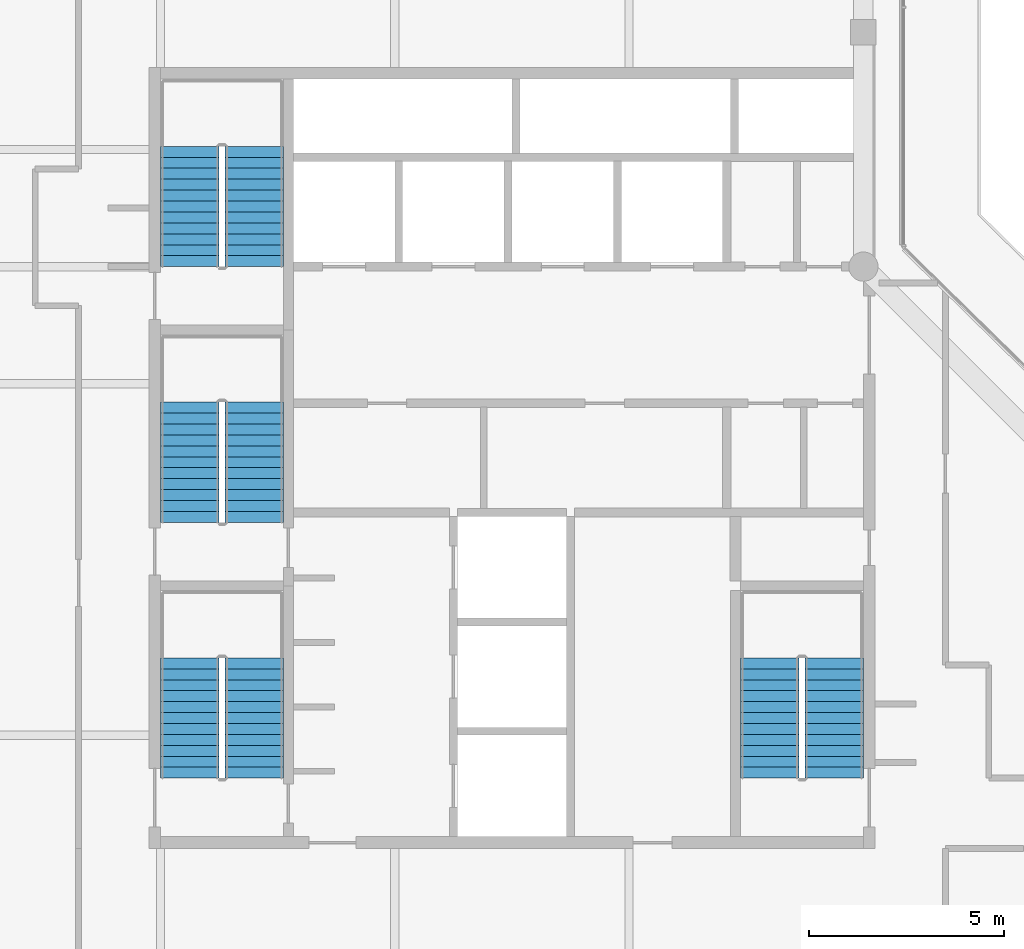
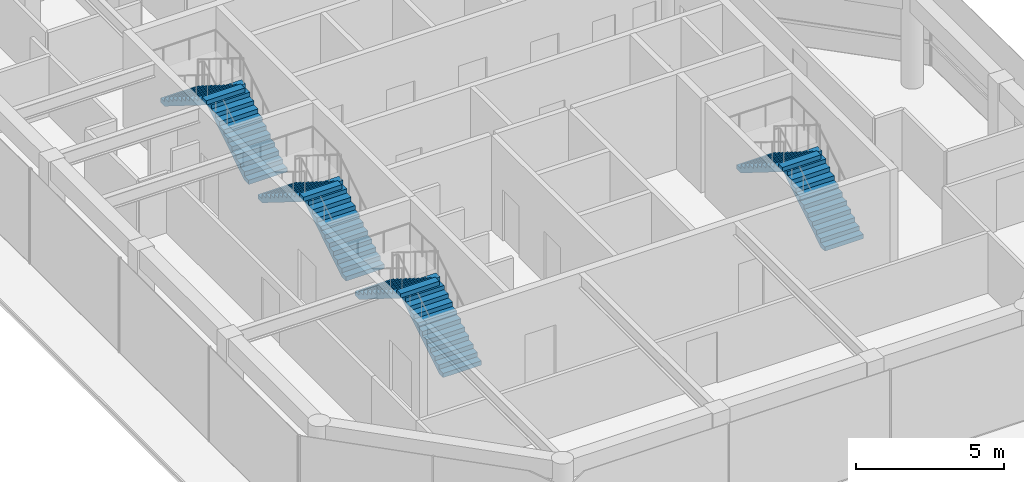
# One storey, part 19 of 21: 8 stair flights, 4 elements without a shape of their own.
"""IFC4 building model written with IfcOpenShell, lengths in metres."""

from ifc_helpers import new_model, si_unit, direction, frame, origin, place, context, subcontext, project, spatial, polyline, outline, extrude, material, type_object, element, aggregate, save


model = new_model("IFC4")

# Units and contexts
model_context = context("Model", 3, precision=1e-05, world=origin(), true_north=direction((0.0, 1.0)))
body_context = subcontext(model_context, "Body", "Model", "MODEL_VIEW")
ifc_project = project(units=[si_unit("LENGTHUNIT", "METRE"), si_unit("AREAUNIT", "SQUARE_METRE"), si_unit("VOLUMEUNIT", "CUBIC_METRE"), si_unit("PLANEANGLEUNIT", "RADIAN"), si_unit("MASSUNIT", "GRAM", prefix="KILO")], contexts=[model_context])

# Site, building, storey
site_placement = place(None, origin())
site = spatial("IfcSite", under=ifc_project, at=site_placement, CompositionType="ELEMENT")
building_placement = place(site_placement, origin())
building = spatial("IfcBuilding", under=site, at=building_placement, Name="Welwitschia Terrace Campus", CompositionType="ELEMENT")
storey_placement = place(building_placement, frame((0.0, 0.0, 331.39990234375)))
storey = spatial("IfcBuildingStorey", under=building, at=storey_placement, Name="L74", CompositionType="ELEMENT", Elevation=331.39990234375)

# Stair, stair flights
ifc_material_1 = material(Name="Concrete C40/50", Category="concrete")
stair_type = type_object("IfcStairType", Name="Stair 24R 175 W1500", PredefinedType="HALF_TURN_STAIR", material=ifc_material_1)
stair_1_placement = place(storey_placement, origin())
stair_1 = element("IfcStair", 1, at=stair_1_placement, inside=storey, type_object=stair_type, Name="L74 Exit stair S1", PredefinedType="HALF_TURN_STAIR")
ifc_material_2 = material(Name="Concrete C40/50", Category="concrete")
stair_flight_type = type_object("IfcStairFlightType", Name="Stair flight 24R 175 W1500", PredefinedType="STRAIGHT", material=ifc_material_2)
stair_flight_1_placement = place(storey_placement, frame((8.39990234375, 6.89990234375, 0.0), z_axis=(0.0, 0.0, 1.0), x_axis=(0.0, 1.0, 0.0)))
stair_flight_1 = element("IfcStairFlight", 2, at=stair_flight_1_placement, type_object=stair_flight_type, Name="S1 flight 1", NumberOfRisers=12, NumberOfTreads=11, PredefinedType="STRAIGHT", RiserHeight=0.175, TreadLength=0.28, context=body_context, shape_type="SweptSolid", body=[
    extrude(outline(polyline([(0.0, 0.0), (0.0, 0.175048828125), (0.280029296875, 0.175048828125), (0.280029296875, 0.35009765625), (0.56005859375, 0.35009765625), (0.56005859375, 0.52490234375), (0.840087890625, 0.52490234375), (0.840087890625, 0.699951171875), (1.1201171875, 0.699951171875), (1.1201171875, 0.875), (1.39990234375, 0.875), (1.39990234375, 1.050048828125), (1.679931640625, 1.050048828125), (1.679931640625, 1.22509765625), (1.9599609375, 1.22509765625), (1.9599609375, 1.39990234375), (2.239990234375, 1.39990234375), (2.239990234375, 1.574951171875), (2.52001953125, 1.574951171875), (2.52001953125, 1.75), (2.800048828125, 1.75), (2.800048828125, 1.925048828125), (3.080078125, 1.925048828125), (3.080078125, 2.10009765625), (3.080078125, 1.748291015625), (0.28271484375, 0.0), (0.0, 0.0)])), frame((0.0, 0.75, 0.0), z_axis=(0.0, -1.0, 0.0), x_axis=(1.0, 0.0, 0.0)), (0.0, 0.0, 1.0), 1.5),
])
stair_flight_2_placement = place(storey_placement, frame((6.75, 9.97998046875, 2.10009765625), z_axis=(0.0, 0.0, 1.0), x_axis=(0.0, -1.0, 0.0)))
stair_flight_2 = element("IfcStairFlight", 3, at=stair_flight_2_placement, type_object=stair_flight_type, Name="S1 flight 2", NumberOfRisers=12, NumberOfTreads=11, PredefinedType="STRAIGHT", RiserHeight=0.175, TreadLength=0.28, context=body_context, shape_type="SweptSolid", body=[
    extrude(outline(polyline([(0.0, 0.0), (0.0, 0.175048828125), (0.280029296875, 0.175048828125), (0.280029296875, 0.35009765625), (0.56005859375, 0.35009765625), (0.56005859375, 0.52490234375), (0.840087890625, 0.52490234375), (0.840087890625, 0.699951171875), (1.1201171875, 0.699951171875), (1.1201171875, 0.875), (1.39990234375, 0.875), (1.39990234375, 1.050048828125), (1.679931640625, 1.050048828125), (1.679931640625, 1.22509765625), (1.9599609375, 1.22509765625), (1.9599609375, 1.39990234375), (2.239990234375, 1.39990234375), (2.239990234375, 1.574951171875), (2.52001953125, 1.574951171875), (2.52001953125, 1.75), (2.800048828125, 1.75), (2.800048828125, 1.925048828125), (3.080078125, 1.925048828125), (3.080078125, 2.10009765625), (3.080078125, 1.748291015625), (0.28271484375, 0.0), (0.0, 0.0)])), frame((0.0, 0.75, 0.0), z_axis=(0.0, -1.0, 0.0), x_axis=(1.0, 0.0, 0.0)), (0.0, 0.0, 1.0), 1.5),
])
aggregate(stair_1, [stair_flight_1, stair_flight_2])

stair_2_placement = place(storey_placement, origin())
stair_2 = element("IfcStair", 4, at=stair_2_placement, inside=storey, type_object=stair_type, Name="L74 Exit stair S3", PredefinedType="HALF_TURN_STAIR")
stair_flight_3_placement = place(storey_placement, frame((8.39990234375, 13.449951171875, 0.0), z_axis=(0.0, 0.0, 1.0), x_axis=(0.0, 1.0, 0.0)))
stair_flight_3 = element("IfcStairFlight", 5, at=stair_flight_3_placement, type_object=stair_flight_type, Name="S3 flight 1", NumberOfRisers=12, NumberOfTreads=11, PredefinedType="STRAIGHT", RiserHeight=0.175, TreadLength=0.28, context=body_context, shape_type="SweptSolid", body=[
    extrude(outline(polyline([(0.0, 0.0), (0.0, 0.175048828125), (0.280029296875, 0.175048828125), (0.280029296875, 0.35009765625), (0.56005859375, 0.35009765625), (0.56005859375, 0.52490234375), (0.840087890625, 0.52490234375), (0.840087890625, 0.699951171875), (1.1201171875, 0.699951171875), (1.1201171875, 0.875), (1.39990234375, 0.875), (1.39990234375, 1.050048828125), (1.679931640625, 1.050048828125), (1.679931640625, 1.22509765625), (1.9599609375, 1.22509765625), (1.9599609375, 1.39990234375), (2.239990234375, 1.39990234375), (2.239990234375, 1.574951171875), (2.52001953125, 1.574951171875), (2.52001953125, 1.75), (2.800048828125, 1.75), (2.800048828125, 1.925048828125), (3.080078125, 1.925048828125), (3.080078125, 2.10009765625), (3.080078125, 1.748291015625), (0.28271484375, 0.0), (0.0, 0.0)])), frame((0.0, 0.75, 0.0), z_axis=(0.0, -1.0, 0.0), x_axis=(1.0, 0.0, 0.0)), (0.0, 0.0, 1.0), 1.5),
])
stair_flight_4_placement = place(storey_placement, frame((6.75, 16.530029296875, 2.10009765625), z_axis=(0.0, 0.0, 1.0), x_axis=(0.0, -1.0, 0.0)))
stair_flight_4 = element("IfcStairFlight", 6, at=stair_flight_4_placement, type_object=stair_flight_type, Name="S3 flight 2", NumberOfRisers=12, NumberOfTreads=11, PredefinedType="STRAIGHT", RiserHeight=0.175, TreadLength=0.28, context=body_context, shape_type="SweptSolid", body=[
    extrude(outline(polyline([(0.0, 0.0), (0.0, 0.175048828125), (0.280029296875, 0.175048828125), (0.280029296875, 0.35009765625), (0.56005859375, 0.35009765625), (0.56005859375, 0.52490234375), (0.840087890625, 0.52490234375), (0.840087890625, 0.699951171875), (1.1201171875, 0.699951171875), (1.1201171875, 0.875), (1.39990234375, 0.875), (1.39990234375, 1.050048828125), (1.679931640625, 1.050048828125), (1.679931640625, 1.22509765625), (1.9599609375, 1.22509765625), (1.9599609375, 1.39990234375), (2.239990234375, 1.39990234375), (2.239990234375, 1.574951171875), (2.52001953125, 1.574951171875), (2.52001953125, 1.75), (2.800048828125, 1.75), (2.800048828125, 1.925048828125), (3.080078125, 1.925048828125), (3.080078125, 2.10009765625), (3.080078125, 1.748291015625), (0.28271484375, 0.0), (0.0, 0.0)])), frame((0.0, 0.75, 0.0), z_axis=(0.0, -1.0, 0.0), x_axis=(1.0, 0.0, 0.0)), (0.0, 0.0, 1.0), 1.5),
])
aggregate(stair_2, [stair_flight_3, stair_flight_4])

stair_3_placement = place(storey_placement, origin())
stair_3 = element("IfcStair", 7, at=stair_3_placement, inside=storey, type_object=stair_type, Name="L74 Exit stair S4", PredefinedType="HALF_TURN_STAIR")
stair_flight_5_placement = place(storey_placement, frame((8.39990234375, 20.0, 0.0), z_axis=(0.0, 0.0, 1.0), x_axis=(0.0, 1.0, 0.0)))
stair_flight_5 = element("IfcStairFlight", 8, at=stair_flight_5_placement, type_object=stair_flight_type, Name="S4 flight 1", NumberOfRisers=12, NumberOfTreads=11, PredefinedType="STRAIGHT", RiserHeight=0.175, TreadLength=0.28, context=body_context, shape_type="SweptSolid", body=[
    extrude(outline(polyline([(0.0, 0.0), (0.0, 0.175048828125), (0.280029296875, 0.175048828125), (0.280029296875, 0.35009765625), (0.56005859375, 0.35009765625), (0.56005859375, 0.52490234375), (0.840087890625, 0.52490234375), (0.840087890625, 0.699951171875), (1.1201171875, 0.699951171875), (1.1201171875, 0.875), (1.39990234375, 0.875), (1.39990234375, 1.050048828125), (1.679931640625, 1.050048828125), (1.679931640625, 1.22509765625), (1.9599609375, 1.22509765625), (1.9599609375, 1.39990234375), (2.239990234375, 1.39990234375), (2.239990234375, 1.574951171875), (2.52001953125, 1.574951171875), (2.52001953125, 1.75), (2.800048828125, 1.75), (2.800048828125, 1.925048828125), (3.080078125, 1.925048828125), (3.080078125, 2.10009765625), (3.080078125, 1.748291015625), (0.28271484375, 0.0), (0.0, 0.0)])), frame((0.0, 0.75, 0.0), z_axis=(0.0, -1.0, 0.0), x_axis=(1.0, 0.0, 0.0)), (0.0, 0.0, 1.0), 1.5),
])
stair_flight_6_placement = place(storey_placement, frame((6.75, 23.080078125, 2.10009765625), z_axis=(0.0, 0.0, 1.0), x_axis=(0.0, -1.0, 0.0)))
stair_flight_6 = element("IfcStairFlight", 9, at=stair_flight_6_placement, type_object=stair_flight_type, Name="S4 flight 2", NumberOfRisers=12, NumberOfTreads=11, PredefinedType="STRAIGHT", RiserHeight=0.175, TreadLength=0.28, context=body_context, shape_type="SweptSolid", body=[
    extrude(outline(polyline([(0.0, 0.0), (0.0, 0.175048828125), (0.280029296875, 0.175048828125), (0.280029296875, 0.35009765625), (0.56005859375, 0.35009765625), (0.56005859375, 0.52490234375), (0.840087890625, 0.52490234375), (0.840087890625, 0.699951171875), (1.1201171875, 0.699951171875), (1.1201171875, 0.875), (1.39990234375, 0.875), (1.39990234375, 1.050048828125), (1.679931640625, 1.050048828125), (1.679931640625, 1.22509765625), (1.9599609375, 1.22509765625), (1.9599609375, 1.39990234375), (2.239990234375, 1.39990234375), (2.239990234375, 1.574951171875), (2.52001953125, 1.574951171875), (2.52001953125, 1.75), (2.800048828125, 1.75), (2.800048828125, 1.925048828125), (3.080078125, 1.925048828125), (3.080078125, 2.10009765625), (3.080078125, 1.748291015625), (0.28271484375, 0.0), (0.0, 0.0)])), frame((0.0, 0.75, 0.0), z_axis=(0.0, -1.0, 0.0), x_axis=(1.0, 0.0, 0.0)), (0.0, 0.0, 1.0), 1.5),
])
aggregate(stair_3, [stair_flight_5, stair_flight_6])

stair_4_placement = place(storey_placement, origin())
stair_4 = element("IfcStair", 10, at=stair_4_placement, inside=storey, type_object=stair_type, Name="L74 Exit stair S2", PredefinedType="HALF_TURN_STAIR")
stair_flight_7_placement = place(storey_placement, frame((23.25, 6.89990234375, 0.0), z_axis=(0.0, 0.0, 1.0), x_axis=(0.0, 1.0, 0.0)))
stair_flight_7 = element("IfcStairFlight", 11, at=stair_flight_7_placement, type_object=stair_flight_type, Name="S2 flight 1", NumberOfRisers=12, NumberOfTreads=11, PredefinedType="STRAIGHT", RiserHeight=0.175, TreadLength=0.28, context=body_context, shape_type="SweptSolid", body=[
    extrude(outline(polyline([(0.0, 0.0), (0.0, 0.175048828125), (0.280029296875, 0.175048828125), (0.280029296875, 0.35009765625), (0.56005859375, 0.35009765625), (0.56005859375, 0.52490234375), (0.840087890625, 0.52490234375), (0.840087890625, 0.699951171875), (1.1201171875, 0.699951171875), (1.1201171875, 0.875), (1.39990234375, 0.875), (1.39990234375, 1.050048828125), (1.679931640625, 1.050048828125), (1.679931640625, 1.22509765625), (1.9599609375, 1.22509765625), (1.9599609375, 1.39990234375), (2.239990234375, 1.39990234375), (2.239990234375, 1.574951171875), (2.52001953125, 1.574951171875), (2.52001953125, 1.75), (2.800048828125, 1.75), (2.800048828125, 1.925048828125), (3.080078125, 1.925048828125), (3.080078125, 2.10009765625), (3.080078125, 1.748291015625), (0.28271484375, 0.0), (0.0, 0.0)])), frame((0.0, 0.75, 0.0), z_axis=(0.0, -1.0, 0.0), x_axis=(1.0, 0.0, 0.0)), (0.0, 0.0, 1.0), 1.5),
])
stair_flight_8_placement = place(storey_placement, frame((21.60009765625, 9.97998046875, 2.10009765625), z_axis=(0.0, 0.0, 1.0), x_axis=(0.0, -1.0, 0.0)))
stair_flight_8 = element("IfcStairFlight", 12, at=stair_flight_8_placement, type_object=stair_flight_type, Name="S2 flight 2", NumberOfRisers=12, NumberOfTreads=11, PredefinedType="STRAIGHT", RiserHeight=0.175, TreadLength=0.28, context=body_context, shape_type="SweptSolid", body=[
    extrude(outline(polyline([(0.0, 0.0), (0.0, 0.175048828125), (0.280029296875, 0.175048828125), (0.280029296875, 0.35009765625), (0.56005859375, 0.35009765625), (0.56005859375, 0.52490234375), (0.840087890625, 0.52490234375), (0.840087890625, 0.699951171875), (1.1201171875, 0.699951171875), (1.1201171875, 0.875), (1.39990234375, 0.875), (1.39990234375, 1.050048828125), (1.679931640625, 1.050048828125), (1.679931640625, 1.22509765625), (1.9599609375, 1.22509765625), (1.9599609375, 1.39990234375), (2.239990234375, 1.39990234375), (2.239990234375, 1.574951171875), (2.52001953125, 1.574951171875), (2.52001953125, 1.75), (2.800048828125, 1.75), (2.800048828125, 1.925048828125), (3.080078125, 1.925048828125), (3.080078125, 2.10009765625), (3.080078125, 1.748291015625), (0.28271484375, 0.0), (0.0, 0.0)])), frame((0.0, 0.75, 0.0), z_axis=(0.0, -1.0, 0.0), x_axis=(1.0, 0.0, 0.0)), (0.0, 0.0, 1.0), 1.5),
])
aggregate(stair_4, [stair_flight_7, stair_flight_8])

save(model, "model.ifc")
